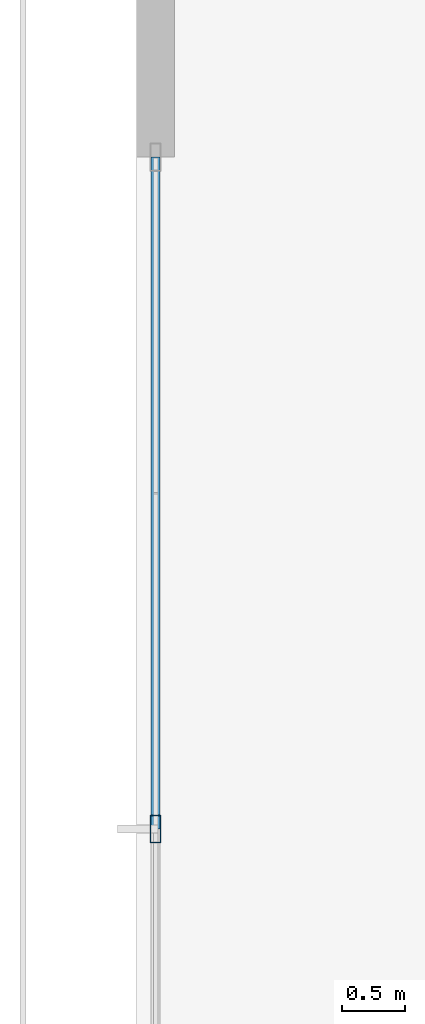
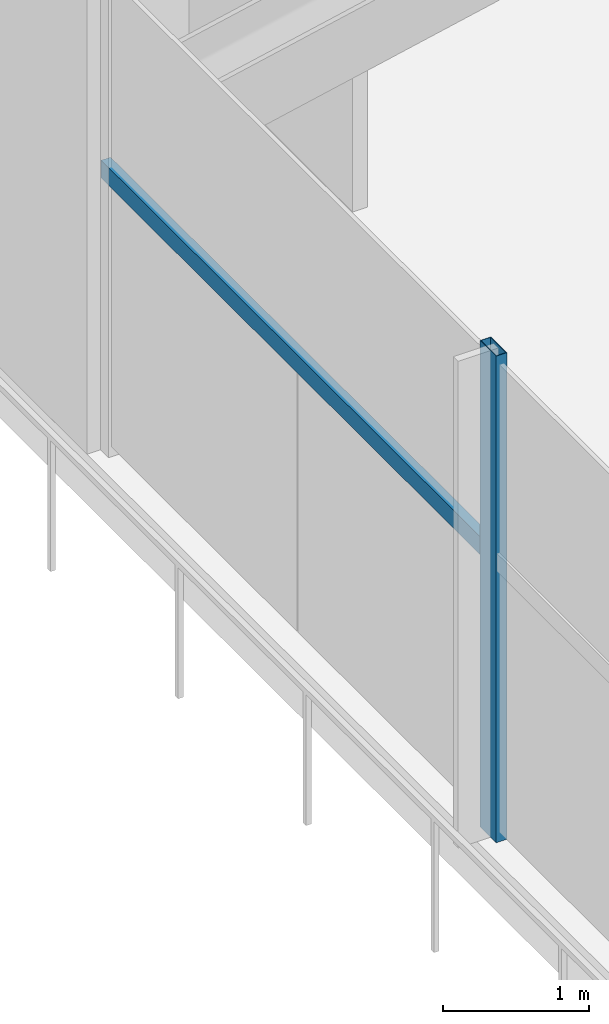
# One storey, part 8 of 29: 2 members, 1 element without a shape of its own.
"""IFC4 building model written with IfcOpenShell, lengths in metres."""

from ifc_helpers import new_model, si_unit, direction, frame, origin, origin_2d, place, context, subcontext, project, spatial, hollow_rectangle, extrude, source, transform, mapped, material, material_profile, profile_set, type_object, type_shapes, element, aggregate, save


model = new_model("IFC4")

# Units and contexts
model_context = context("Model", 3, precision=1e-05, world=origin(), true_north=direction((0.0, 1.0)))
body_context = subcontext(model_context, "Body", "Model", "MODEL_VIEW")
ifc_project = project(units=[si_unit("LENGTHUNIT", "METRE"), si_unit("AREAUNIT", "SQUARE_METRE"), si_unit("VOLUMEUNIT", "CUBIC_METRE"), si_unit("PLANEANGLEUNIT", "RADIAN"), si_unit("MASSUNIT", "GRAM", prefix="KILO")], contexts=[model_context])

# Site, building, storey
site_placement = place(None, origin())
site = spatial("IfcSite", under=ifc_project, at=site_placement, CompositionType="ELEMENT")
building_placement = place(site_placement, origin())
building = spatial("IfcBuilding", under=site, at=building_placement, Name="Astriad Promenade Condominiums", CompositionType="ELEMENT")
storey_placement = place(building_placement, frame((0.0, 0.0, 18.5)))
storey = spatial("IfcBuildingStorey", under=building, at=storey_placement, Name="L04", CompositionType="ELEMENT", Elevation=18.5)

# Curtain wall, members
ifc_material_1 = material(Name="Anodised aluminium Black Dark Glass Unitised", Category="aluminium")
curtain_wall_type = type_object("IfcCurtainWallType", Name="CW-POD-DARK", PredefinedType="USERDEFINED", material=ifc_material_1)
curtain_wall_placement = place(storey_placement, origin())
curtain_wall = element("IfcCurtainWall", 1, at=curtain_wall_placement, inside=storey, type_object=curtain_wall_type, Name="CW-L04-W", ObjectType="UNITISED_CURTAIN_WALL", PredefinedType="USERDEFINED")
ifc_material_2 = material(Name="Anodised aluminium 6063-T6 Black", Category="aluminium")
ifc_material_profile_1 = material_profile(ifc_material_2, hollow_rectangle(XDim=0.0849609375, YDim=0.219970703125, WallThickness=0.0048828125, at=origin_2d()), Name="ALU-MUL-85X220")
ifc_profile_set_1 = profile_set([ifc_material_profile_1], Name="Anodised aluminium 6063-T6 Black")
member_type_1 = type_object("IfcMemberType", Name="MUL-ALU-MUL-85X220", PredefinedType="MULLION", material=ifc_profile_set_1)
shared_shape_1 = source(origin(), body_context, "Body", "SweptSolid", [
    extrude(hollow_rectangle(XDim=0.0849609375, YDim=0.219970703125, WallThickness=0.0048828125, at=origin_2d()), origin(), (0.0, 0.0, 1.0), 4.080078125),
])
type_shapes(member_type_1, [shared_shape_1])
member_1_placement = place(storey_placement, frame((4.550048828125, 21.72509765625, 0.0), z_axis=(0.0, 0.0, 1.0), x_axis=(1.0, 0.0, 0.0)))
member_1 = element("IfcMember", 2, at=member_1_placement, type_object=member_type_1, Name="CW-L04-W-MUL-03", PredefinedType="MULLION", context=body_context, shape_type="MappedRepresentation", body=[
    mapped(shared_shape_1, transform((0.0, 0.0, 0.0), scale=1.0)),
])
ifc_material_profile_2 = material_profile(ifc_material_2, hollow_rectangle(XDim=0.074951171875, YDim=0.14990234375, WallThickness=0.004150390625, at=origin_2d()), Name="ALU-TRN-75X150")
ifc_profile_set_2 = profile_set([ifc_material_profile_2], Name="Anodised aluminium 6063-T6 Black")
member_type_2 = type_object("IfcMemberType", Name="TRN-ALU-TRN-75X150", PredefinedType="USERDEFINED", material=ifc_profile_set_2)
shared_shape_2 = source(origin(), body_context, "Body", "SweptSolid", [
    extrude(hollow_rectangle(XDim=0.074951171875, YDim=0.14990234375, WallThickness=0.004150390625, at=origin_2d()), origin(), (0.0, 0.0, 1.0), 5.324951171875),
])
type_shapes(member_type_2, [shared_shape_2])
member_2_placement = place(storey_placement, frame((4.550048828125, 21.72509765625, 2.35009765625), z_axis=(0.0, 1.0, 0.0), x_axis=(-1.0, 0.0, 0.0)))
member_2 = element("IfcMember", 3, at=member_2_placement, type_object=member_type_2, Name="CW-L04-W-TRN-03-0", ObjectType="TRANSOM", PredefinedType="USERDEFINED", context=body_context, shape_type="MappedRepresentation", body=[
    mapped(shared_shape_2, transform((0.0, 0.0, 0.0), scale=1.0)),
])
aggregate(curtain_wall, [member_1, member_2])

save(model, "model.ifc")
